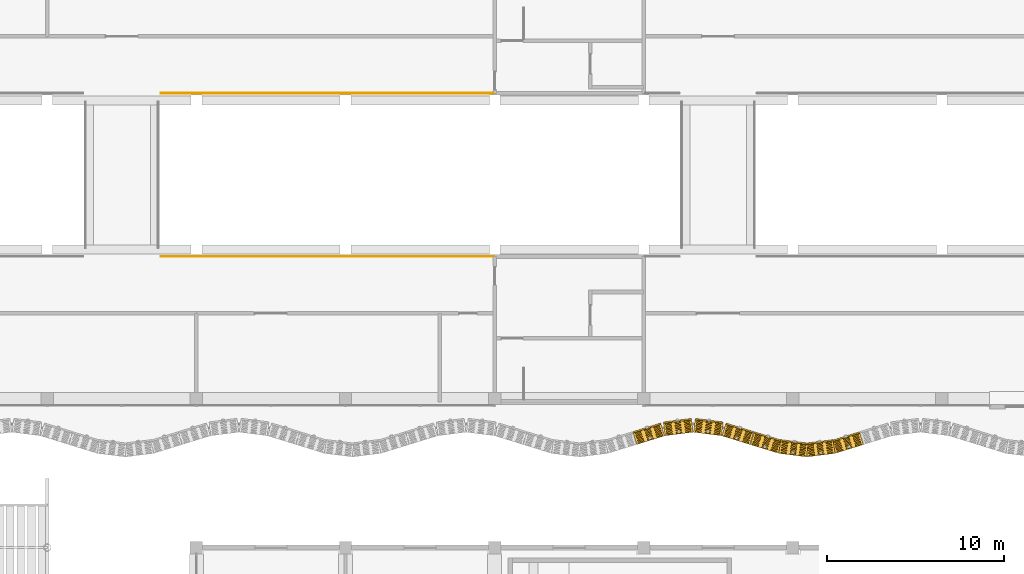
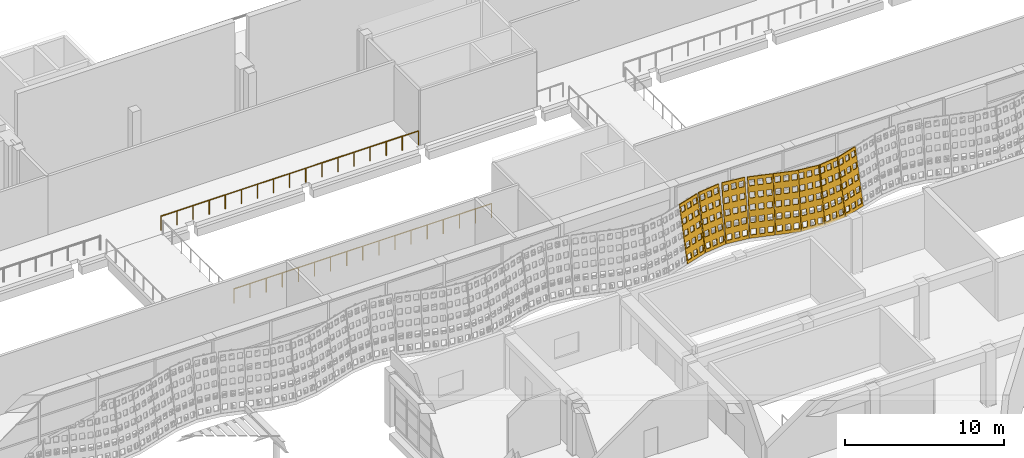
# One storey, part 147 of 162: 8 coverings, 2 railings.
"""IFC4 building model written with IfcOpenShell, lengths in metres."""

from ifc_helpers import new_model, si_unit, direction, frame, origin, origin_2d, place, context, subcontext, project, spatial, polyline, circle, outline, extrude, material, layer, layer_set, type_object, element, save


model = new_model("IFC4")

# Units and contexts
model_context = context("Model", 3, precision=1e-05, world=origin(), true_north=direction((0.0, 1.0)))
body_context = subcontext(model_context, "Body", "Model", "MODEL_VIEW")
ifc_project = project(units=[si_unit("LENGTHUNIT", "METRE"), si_unit("AREAUNIT", "SQUARE_METRE"), si_unit("VOLUMEUNIT", "CUBIC_METRE"), si_unit("PLANEANGLEUNIT", "RADIAN"), si_unit("MASSUNIT", "GRAM", prefix="KILO")], contexts=[model_context])

# Site, building, storey
site_placement = place(None, origin())
site = spatial("IfcSite", under=ifc_project, at=site_placement, CompositionType="ELEMENT")
building_placement = place(site_placement, origin())
building = spatial("IfcBuilding", under=site, at=building_placement, Name="Rain Tree Exposition and Congress Centre", CompositionType="ELEMENT")
storey_placement = place(building_placement, frame((0.0, 0.0, 6.0)))
storey = spatial("IfcBuildingStorey", under=building, at=storey_placement, Name="L01", CompositionType="ELEMENT", Elevation=6.0)

# Railings
ifc_material_1 = material(Name="Aluminium and glass balustrade", Category="aluminium")
railing_type = type_object("IfcRailingType", Name="Concourse guard 1100", PredefinedType="GUARDRAIL", material=ifc_material_1)
railing_1_placement = place(storey_placement, frame((149.199951171875, 83.60009765625, 0.0)))
element("IfcRailing", 1, at=railing_1_placement, inside=storey, type_object=railing_type, Name="Concourse promenade guard 9", PredefinedType="GUARDRAIL", context=body_context, shape_type="SweptSolid", body=[
    extrude(circle(Radius=0.02392578125, at=origin_2d()), frame((0.0, 0.0, 1.076171875), z_axis=(1.0, 0.0, 0.0), x_axis=(0.0, 1.0, 0.0)), (0.0, 0.0, 1.0), 18.699951171875),
    extrude(circle(Radius=0.02099609375, at=origin_2d()), origin(), (0.0, 0.0, 1.0), 1.052001953125),
    extrude(circle(Radius=0.02099609375, at=origin_2d()), frame((1.168701171875, 0.0, 0.0)), (0.0, 0.0, 1.0), 1.052001953125),
    extrude(circle(Radius=0.02099609375, at=origin_2d()), frame((2.33740234375, 0.0, 0.0)), (0.0, 0.0, 1.0), 1.052001953125),
    extrude(circle(Radius=0.02099609375, at=origin_2d()), frame((3.50634765625, 0.0, 0.0)), (0.0, 0.0, 1.0), 1.052001953125),
    extrude(circle(Radius=0.02099609375, at=origin_2d()), frame((4.675048828125, 0.0, 0.0)), (0.0, 0.0, 1.0), 1.052001953125),
    extrude(circle(Radius=0.02099609375, at=origin_2d()), frame((5.84375, 0.0, 0.0)), (0.0, 0.0, 1.0), 1.052001953125),
    extrude(circle(Radius=0.02099609375, at=origin_2d()), frame((7.012451171875, 0.0, 0.0)), (0.0, 0.0, 1.0), 1.052001953125),
    extrude(circle(Radius=0.02099609375, at=origin_2d()), frame((8.18115234375, 0.0, 0.0)), (0.0, 0.0, 1.0), 1.052001953125),
    extrude(circle(Radius=0.02099609375, at=origin_2d()), frame((9.35009765625, 0.0, 0.0)), (0.0, 0.0, 1.0), 1.052001953125),
    extrude(circle(Radius=0.02099609375, at=origin_2d()), frame((10.518798828125, 0.0, 0.0)), (0.0, 0.0, 1.0), 1.052001953125),
    extrude(circle(Radius=0.02099609375, at=origin_2d()), frame((11.6875, 0.0, 0.0)), (0.0, 0.0, 1.0), 1.052001953125),
    extrude(circle(Radius=0.02099609375, at=origin_2d()), frame((12.856201171875, 0.0, 0.0)), (0.0, 0.0, 1.0), 1.052001953125),
    extrude(circle(Radius=0.02099609375, at=origin_2d()), frame((14.02490234375, 0.0, 0.0)), (0.0, 0.0, 1.0), 1.052001953125),
    extrude(circle(Radius=0.02099609375, at=origin_2d()), frame((15.193603515625, 0.0, 0.0)), (0.0, 0.0, 1.0), 1.052001953125),
    extrude(circle(Radius=0.02099609375, at=origin_2d()), frame((16.362548828125, 0.0, 0.0)), (0.0, 0.0, 1.0), 1.052001953125),
    extrude(circle(Radius=0.02099609375, at=origin_2d()), frame((17.53125, 0.0, 0.0)), (0.0, 0.0, 1.0), 1.052001953125),
    extrude(circle(Radius=0.02099609375, at=origin_2d()), frame((18.699951171875, 0.0, 0.0)), (0.0, 0.0, 1.0), 1.052001953125),
])
railing_2_placement = place(storey_placement, frame((149.199951171875, 92.800048828125, 0.0)))
element("IfcRailing", 2, at=railing_2_placement, inside=storey, type_object=railing_type, Name="Concourse promenade guard 23", PredefinedType="GUARDRAIL", context=body_context, shape_type="SweptSolid", body=[
    extrude(circle(Radius=0.02392578125, at=origin_2d()), frame((0.0, 0.0, 1.076171875), z_axis=(1.0, 0.0, 0.0), x_axis=(0.0, 1.0, 0.0)), (0.0, 0.0, 1.0), 18.699951171875),
    extrude(circle(Radius=0.02099609375, at=origin_2d()), origin(), (0.0, 0.0, 1.0), 1.052001953125),
    extrude(circle(Radius=0.02099609375, at=origin_2d()), frame((1.168701171875, 0.0, 0.0)), (0.0, 0.0, 1.0), 1.052001953125),
    extrude(circle(Radius=0.02099609375, at=origin_2d()), frame((2.33740234375, 0.0, 0.0)), (0.0, 0.0, 1.0), 1.052001953125),
    extrude(circle(Radius=0.02099609375, at=origin_2d()), frame((3.50634765625, 0.0, 0.0)), (0.0, 0.0, 1.0), 1.052001953125),
    extrude(circle(Radius=0.02099609375, at=origin_2d()), frame((4.675048828125, 0.0, 0.0)), (0.0, 0.0, 1.0), 1.052001953125),
    extrude(circle(Radius=0.02099609375, at=origin_2d()), frame((5.84375, 0.0, 0.0)), (0.0, 0.0, 1.0), 1.052001953125),
    extrude(circle(Radius=0.02099609375, at=origin_2d()), frame((7.012451171875, 0.0, 0.0)), (0.0, 0.0, 1.0), 1.052001953125),
    extrude(circle(Radius=0.02099609375, at=origin_2d()), frame((8.18115234375, 0.0, 0.0)), (0.0, 0.0, 1.0), 1.052001953125),
    extrude(circle(Radius=0.02099609375, at=origin_2d()), frame((9.35009765625, 0.0, 0.0)), (0.0, 0.0, 1.0), 1.052001953125),
    extrude(circle(Radius=0.02099609375, at=origin_2d()), frame((10.518798828125, 0.0, 0.0)), (0.0, 0.0, 1.0), 1.052001953125),
    extrude(circle(Radius=0.02099609375, at=origin_2d()), frame((11.6875, 0.0, 0.0)), (0.0, 0.0, 1.0), 1.052001953125),
    extrude(circle(Radius=0.02099609375, at=origin_2d()), frame((12.856201171875, 0.0, 0.0)), (0.0, 0.0, 1.0), 1.052001953125),
    extrude(circle(Radius=0.02099609375, at=origin_2d()), frame((14.02490234375, 0.0, 0.0)), (0.0, 0.0, 1.0), 1.052001953125),
    extrude(circle(Radius=0.02099609375, at=origin_2d()), frame((15.193603515625, 0.0, 0.0)), (0.0, 0.0, 1.0), 1.052001953125),
    extrude(circle(Radius=0.02099609375, at=origin_2d()), frame((16.362548828125, 0.0, 0.0)), (0.0, 0.0, 1.0), 1.052001953125),
    extrude(circle(Radius=0.02099609375, at=origin_2d()), frame((17.53125, 0.0, 0.0)), (0.0, 0.0, 1.0), 1.052001953125),
    extrude(circle(Radius=0.02099609375, at=origin_2d()), frame((18.699951171875, 0.0, 0.0)), (0.0, 0.0, 1.0), 1.052001953125),
])

# Coverings
ifc_material_2 = material(Name="Perforated terracotta", Category="masonry")
ifc_layer = layer(ifc_material_2, 0.080078125)
ifc_layer_set = layer_set([ifc_layer], Name="Perforated terracotta")
covering_type = type_object("IfcCoveringType", Name="Terracotta screen 80", PredefinedType="CLADDING", material=ifc_layer_set)
covering_1_placement = place(storey_placement, frame((175.99951171875, 73.001708984375, 0.0126953125), z_axis=(-0.292932171154, 0.942875425902, -0.158671592708), x_axis=(-0.954973588716, -0.296690823679, 0.0)))
element("IfcCovering", 3, at=covering_1_placement, inside=storey, type_object=covering_type, Name="concourse/screen/L01/111", PredefinedType="CLADDING", context=body_context, shape_type="SweptSolid", body=[
    extrude(outline(polyline([(-1.659912109375, 0.0), (-1.659912109375, 4.29150390625), (-0.014892578125, 4.29150390625), (-0.014892578125, 0.0), (-1.659912109375, 0.0)]), holes=[polyline([(-0.119140625, 0.221435546875), (-0.119140625, 0.63671875), (-0.458984375, 0.63671875), (-0.458984375, 0.221435546875), (-0.119140625, 0.221435546875)]), polyline([(-0.119140625, 1.079833984375), (-0.119140625, 1.4951171875), (-0.458984375, 1.4951171875), (-0.458984375, 1.079833984375), (-0.119140625, 1.079833984375)]), polyline([(-0.119140625, 1.93798828125), (-0.119140625, 2.353271484375), (-0.458984375, 2.353271484375), (-0.458984375, 1.93798828125), (-0.119140625, 1.93798828125)]), polyline([(-0.119140625, 2.79638671875), (-0.119140625, 3.211669921875), (-0.458984375, 3.211669921875), (-0.458984375, 2.79638671875), (-0.119140625, 2.79638671875)]), polyline([(-0.119140625, 3.654541015625), (-0.119140625, 4.06982421875), (-0.458984375, 4.06982421875), (-0.458984375, 3.654541015625), (-0.119140625, 3.654541015625)]), polyline([(-0.66748046875, 0.221435546875), (-0.66748046875, 0.63671875), (-1.00732421875, 0.63671875), (-1.00732421875, 0.221435546875), (-0.66748046875, 0.221435546875)]), polyline([(-0.66748046875, 1.079833984375), (-0.66748046875, 1.4951171875), (-1.00732421875, 1.4951171875), (-1.00732421875, 1.079833984375), (-0.66748046875, 1.079833984375)]), polyline([(-0.66748046875, 1.93798828125), (-0.66748046875, 2.353271484375), (-1.00732421875, 2.353271484375), (-1.00732421875, 1.93798828125), (-0.66748046875, 1.93798828125)]), polyline([(-0.66748046875, 2.79638671875), (-0.66748046875, 3.211669921875), (-1.00732421875, 3.211669921875), (-1.00732421875, 2.79638671875), (-0.66748046875, 2.79638671875)]), polyline([(-0.66748046875, 3.654541015625), (-0.66748046875, 4.06982421875), (-1.00732421875, 4.06982421875), (-1.00732421875, 3.654541015625), (-0.66748046875, 3.654541015625)]), polyline([(-1.2158203125, 0.221435546875), (-1.2158203125, 0.63671875), (-1.5556640625, 0.63671875), (-1.5556640625, 0.221435546875), (-1.2158203125, 0.221435546875)]), polyline([(-1.2158203125, 1.079833984375), (-1.2158203125, 1.4951171875), (-1.5556640625, 1.4951171875), (-1.5556640625, 1.079833984375), (-1.2158203125, 1.079833984375)]), polyline([(-1.2158203125, 1.93798828125), (-1.2158203125, 2.353271484375), (-1.5556640625, 2.353271484375), (-1.5556640625, 1.93798828125), (-1.2158203125, 1.93798828125)]), polyline([(-1.2158203125, 2.79638671875), (-1.2158203125, 3.211669921875), (-1.5556640625, 3.211669921875), (-1.5556640625, 2.79638671875), (-1.2158203125, 2.79638671875)]), polyline([(-1.2158203125, 3.654541015625), (-1.2158203125, 4.06982421875), (-1.5556640625, 4.06982421875), (-1.5556640625, 3.654541015625), (-1.2158203125, 3.654541015625)])]), origin(), (0.0, 0.0, 1.0), 0.080078125),
])
covering_2_placement = place(storey_placement, frame((177.599609375, 73.496826171875, 0.01318359375), z_axis=(-0.124968640969, 0.978413018317, -0.164592844203), x_axis=(-0.991941518713, -0.126696580272, 0.0)))
element("IfcCovering", 4, at=covering_2_placement, inside=storey, type_object=covering_type, Name="concourse/screen/L01/112", PredefinedType="CLADDING", context=body_context, shape_type="SweptSolid", body=[
    extrude(outline(polyline([(-1.59814453125, 0.0), (-1.59814453125, 4.295166015625), (-0.014892578125, 4.295166015625), (-0.014892578125, 0.0), (-1.59814453125, 0.0)]), holes=[polyline([(-0.115234375, 0.2216796875), (-0.115234375, 0.63720703125), (-0.4423828125, 0.63720703125), (-0.4423828125, 0.2216796875), (-0.115234375, 0.2216796875)]), polyline([(-0.115234375, 1.080810546875), (-0.115234375, 1.496337890625), (-0.4423828125, 1.496337890625), (-0.4423828125, 1.080810546875), (-0.115234375, 1.080810546875)]), polyline([(-0.115234375, 1.939697265625), (-0.115234375, 2.35546875), (-0.4423828125, 2.35546875), (-0.4423828125, 1.939697265625), (-0.115234375, 1.939697265625)]), polyline([(-0.115234375, 2.798583984375), (-0.115234375, 3.21435546875), (-0.4423828125, 3.21435546875), (-0.4423828125, 2.798583984375), (-0.115234375, 2.798583984375)]), polyline([(-0.115234375, 3.65771484375), (-0.115234375, 4.073486328125), (-0.4423828125, 4.073486328125), (-0.4423828125, 3.65771484375), (-0.115234375, 3.65771484375)]), polyline([(-0.64306640625, 0.2216796875), (-0.64306640625, 0.63720703125), (-0.97021484375, 0.63720703125), (-0.97021484375, 0.2216796875), (-0.64306640625, 0.2216796875)]), polyline([(-0.64306640625, 1.080810546875), (-0.64306640625, 1.496337890625), (-0.97021484375, 1.496337890625), (-0.97021484375, 1.080810546875), (-0.64306640625, 1.080810546875)]), polyline([(-0.64306640625, 1.939697265625), (-0.64306640625, 2.35546875), (-0.97021484375, 2.35546875), (-0.97021484375, 1.939697265625), (-0.64306640625, 1.939697265625)]), polyline([(-0.64306640625, 2.798583984375), (-0.64306640625, 3.21435546875), (-0.97021484375, 3.21435546875), (-0.97021484375, 2.798583984375), (-0.64306640625, 2.798583984375)]), polyline([(-0.64306640625, 3.65771484375), (-0.64306640625, 4.073486328125), (-0.97021484375, 4.073486328125), (-0.97021484375, 3.65771484375), (-0.64306640625, 3.65771484375)]), polyline([(-1.170654296875, 0.2216796875), (-1.170654296875, 0.63720703125), (-1.497802734375, 0.63720703125), (-1.497802734375, 0.2216796875), (-1.170654296875, 0.2216796875)]), polyline([(-1.170654296875, 1.080810546875), (-1.170654296875, 1.496337890625), (-1.497802734375, 1.496337890625), (-1.497802734375, 1.080810546875), (-1.170654296875, 1.080810546875)]), polyline([(-1.170654296875, 1.939697265625), (-1.170654296875, 2.35546875), (-1.497802734375, 2.35546875), (-1.497802734375, 1.939697265625), (-1.170654296875, 1.939697265625)]), polyline([(-1.170654296875, 2.798583984375), (-1.170654296875, 3.21435546875), (-1.497802734375, 3.21435546875), (-1.497802734375, 2.798583984375), (-1.170654296875, 2.798583984375)]), polyline([(-1.170654296875, 3.65771484375), (-1.170654296875, 4.073486328125), (-1.497802734375, 4.073486328125), (-1.497802734375, 3.65771484375), (-1.170654296875, 3.65771484375)])]), origin(), (0.0, 0.0, 1.0), 0.080078125),
])
covering_3_placement = place(storey_placement, frame((179.2001953125, 73.701904296875, 0.01318359375), z_axis=(0.125342414455, 0.978282259159, -0.165085131233), x_axis=(-0.991891686382, 0.127086122318, 0.0)))
element("IfcCovering", 5, at=covering_3_placement, inside=storey, type_object=covering_type, Name="concourse/screen/L01/113", PredefinedType="CLADDING", context=body_context, shape_type="SweptSolid", body=[
    extrude(outline(polyline([(-1.59814453125, 0.0), (-1.59814453125, 4.295166015625), (-0.014892578125, 4.295166015625), (-0.014892578125, 0.0), (-1.59814453125, 0.0)]), holes=[polyline([(-0.115234375, 0.2216796875), (-0.115234375, 0.63720703125), (-0.4423828125, 0.63720703125), (-0.4423828125, 0.2216796875), (-0.115234375, 0.2216796875)]), polyline([(-0.115234375, 1.080810546875), (-0.115234375, 1.496337890625), (-0.4423828125, 1.496337890625), (-0.4423828125, 1.080810546875), (-0.115234375, 1.080810546875)]), polyline([(-0.115234375, 1.939697265625), (-0.115234375, 2.35546875), (-0.4423828125, 2.35546875), (-0.4423828125, 1.939697265625), (-0.115234375, 1.939697265625)]), polyline([(-0.115234375, 2.798583984375), (-0.115234375, 3.21435546875), (-0.4423828125, 3.21435546875), (-0.4423828125, 2.798583984375), (-0.115234375, 2.798583984375)]), polyline([(-0.115234375, 3.65771484375), (-0.115234375, 4.073486328125), (-0.4423828125, 4.073486328125), (-0.4423828125, 3.65771484375), (-0.115234375, 3.65771484375)]), polyline([(-0.64306640625, 0.2216796875), (-0.64306640625, 0.63720703125), (-0.97021484375, 0.63720703125), (-0.97021484375, 0.2216796875), (-0.64306640625, 0.2216796875)]), polyline([(-0.64306640625, 1.080810546875), (-0.64306640625, 1.496337890625), (-0.97021484375, 1.496337890625), (-0.97021484375, 1.080810546875), (-0.64306640625, 1.080810546875)]), polyline([(-0.64306640625, 1.939697265625), (-0.64306640625, 2.35546875), (-0.97021484375, 2.35546875), (-0.97021484375, 1.939697265625), (-0.64306640625, 1.939697265625)]), polyline([(-0.64306640625, 2.798583984375), (-0.64306640625, 3.21435546875), (-0.97021484375, 3.21435546875), (-0.97021484375, 2.798583984375), (-0.64306640625, 2.798583984375)]), polyline([(-0.64306640625, 3.65771484375), (-0.64306640625, 4.073486328125), (-0.97021484375, 4.073486328125), (-0.97021484375, 3.65771484375), (-0.64306640625, 3.65771484375)]), polyline([(-1.170654296875, 0.2216796875), (-1.170654296875, 0.63720703125), (-1.497802734375, 0.63720703125), (-1.497802734375, 0.2216796875), (-1.170654296875, 0.2216796875)]), polyline([(-1.170654296875, 1.080810546875), (-1.170654296875, 1.496337890625), (-1.497802734375, 1.496337890625), (-1.497802734375, 1.080810546875), (-1.170654296875, 1.080810546875)]), polyline([(-1.170654296875, 1.939697265625), (-1.170654296875, 2.35546875), (-1.497802734375, 2.35546875), (-1.497802734375, 1.939697265625), (-1.170654296875, 1.939697265625)]), polyline([(-1.170654296875, 2.798583984375), (-1.170654296875, 3.21435546875), (-1.497802734375, 3.21435546875), (-1.497802734375, 2.798583984375), (-1.170654296875, 2.798583984375)]), polyline([(-1.170654296875, 3.65771484375), (-1.170654296875, 4.073486328125), (-1.497802734375, 4.073486328125), (-1.497802734375, 3.65771484375), (-1.170654296875, 3.65771484375)])]), origin(), (0.0, 0.0, 1.0), 0.079833984375),
])
covering_4_placement = place(storey_placement, frame((180.800537109375, 73.49658203125, 0.0126953125), z_axis=(0.292932171154, 0.942875425902, -0.158671592708), x_axis=(-0.954973588716, 0.296690823679, 0.0)))
element("IfcCovering", 6, at=covering_4_placement, inside=storey, type_object=covering_type, Name="concourse/screen/L01/114", PredefinedType="CLADDING", context=body_context, shape_type="SweptSolid", body=[
    extrude(outline(polyline([(-1.659912109375, 0.0), (-1.659912109375, 4.29150390625), (-0.014892578125, 4.29150390625), (-0.014892578125, 0.0), (-1.659912109375, 0.0)]), holes=[polyline([(-0.119140625, 0.221435546875), (-0.119140625, 0.63671875), (-0.458984375, 0.63671875), (-0.458984375, 0.221435546875), (-0.119140625, 0.221435546875)]), polyline([(-0.119140625, 1.079833984375), (-0.119140625, 1.4951171875), (-0.458984375, 1.4951171875), (-0.458984375, 1.079833984375), (-0.119140625, 1.079833984375)]), polyline([(-0.119140625, 1.93798828125), (-0.119140625, 2.353271484375), (-0.458984375, 2.353271484375), (-0.458984375, 1.93798828125), (-0.119140625, 1.93798828125)]), polyline([(-0.119140625, 2.79638671875), (-0.119140625, 3.211669921875), (-0.458984375, 3.211669921875), (-0.458984375, 2.79638671875), (-0.119140625, 2.79638671875)]), polyline([(-0.119140625, 3.654541015625), (-0.119140625, 4.06982421875), (-0.458984375, 4.06982421875), (-0.458984375, 3.654541015625), (-0.119140625, 3.654541015625)]), polyline([(-0.66748046875, 0.221435546875), (-0.66748046875, 0.63671875), (-1.00732421875, 0.63671875), (-1.00732421875, 0.221435546875), (-0.66748046875, 0.221435546875)]), polyline([(-0.66748046875, 1.079833984375), (-0.66748046875, 1.4951171875), (-1.00732421875, 1.4951171875), (-1.00732421875, 1.079833984375), (-0.66748046875, 1.079833984375)]), polyline([(-0.66748046875, 1.93798828125), (-0.66748046875, 2.353271484375), (-1.00732421875, 2.353271484375), (-1.00732421875, 1.93798828125), (-0.66748046875, 1.93798828125)]), polyline([(-0.66748046875, 2.79638671875), (-0.66748046875, 3.211669921875), (-1.00732421875, 3.211669921875), (-1.00732421875, 2.79638671875), (-0.66748046875, 2.79638671875)]), polyline([(-0.66748046875, 3.654541015625), (-0.66748046875, 4.06982421875), (-1.00732421875, 4.06982421875), (-1.00732421875, 3.654541015625), (-0.66748046875, 3.654541015625)]), polyline([(-1.2158203125, 0.221435546875), (-1.2158203125, 0.63671875), (-1.5556640625, 0.63671875), (-1.5556640625, 0.221435546875), (-1.2158203125, 0.221435546875)]), polyline([(-1.2158203125, 1.079833984375), (-1.2158203125, 1.4951171875), (-1.5556640625, 1.4951171875), (-1.5556640625, 1.079833984375), (-1.2158203125, 1.079833984375)]), polyline([(-1.2158203125, 1.93798828125), (-1.2158203125, 2.353271484375), (-1.5556640625, 2.353271484375), (-1.5556640625, 1.93798828125), (-1.2158203125, 1.93798828125)]), polyline([(-1.2158203125, 2.79638671875), (-1.2158203125, 3.211669921875), (-1.5556640625, 3.211669921875), (-1.5556640625, 2.79638671875), (-1.2158203125, 2.79638671875)]), polyline([(-1.2158203125, 3.654541015625), (-1.2158203125, 4.06982421875), (-1.5556640625, 4.06982421875), (-1.5556640625, 3.654541015625), (-1.2158203125, 3.654541015625)])]), origin(), (0.0, 0.0, 1.0), 0.080078125),
])
covering_5_placement = place(storey_placement, frame((182.400634765625, 73.001708984375, 0.0126953125), z_axis=(0.290138898064, 0.943714942124, -0.158812870519), x_axis=(-0.955845867297, 0.293868470528, 0.0)))
element("IfcCovering", 7, at=covering_5_placement, inside=storey, type_object=covering_type, Name="concourse/screen/L01/115", PredefinedType="CLADDING", context=body_context, shape_type="SweptSolid", body=[
    extrude(outline(polyline([(-1.65283203125, 0.0), (-1.65283203125, 4.29150390625), (-0.014892578125, 4.29150390625), (-0.014892578125, 0.0), (-1.65283203125, 0.0)]), holes=[polyline([(-0.11865234375, 0.221435546875), (-0.11865234375, 0.63671875), (-0.457275390625, 0.63671875), (-0.457275390625, 0.221435546875), (-0.11865234375, 0.221435546875)]), polyline([(-0.11865234375, 1.079833984375), (-0.11865234375, 1.4951171875), (-0.457275390625, 1.4951171875), (-0.457275390625, 1.079833984375), (-0.11865234375, 1.079833984375)]), polyline([(-0.11865234375, 1.93798828125), (-0.11865234375, 2.353271484375), (-0.457275390625, 2.353271484375), (-0.457275390625, 1.93798828125), (-0.11865234375, 1.93798828125)]), polyline([(-0.11865234375, 2.79638671875), (-0.11865234375, 3.211669921875), (-0.457275390625, 3.211669921875), (-0.457275390625, 2.79638671875), (-0.11865234375, 2.79638671875)]), polyline([(-0.11865234375, 3.654541015625), (-0.11865234375, 4.06982421875), (-0.457275390625, 4.06982421875), (-0.457275390625, 3.654541015625), (-0.11865234375, 3.654541015625)]), polyline([(-0.664794921875, 0.221435546875), (-0.664794921875, 0.63671875), (-1.003173828125, 0.63671875), (-1.003173828125, 0.221435546875), (-0.664794921875, 0.221435546875)]), polyline([(-0.664794921875, 1.079833984375), (-0.664794921875, 1.4951171875), (-1.003173828125, 1.4951171875), (-1.003173828125, 1.079833984375), (-0.664794921875, 1.079833984375)]), polyline([(-0.664794921875, 1.93798828125), (-0.664794921875, 2.353271484375), (-1.003173828125, 2.353271484375), (-1.003173828125, 1.93798828125), (-0.664794921875, 1.93798828125)]), polyline([(-0.664794921875, 2.79638671875), (-0.664794921875, 3.211669921875), (-1.003173828125, 3.211669921875), (-1.003173828125, 2.79638671875), (-0.664794921875, 2.79638671875)]), polyline([(-0.664794921875, 3.654541015625), (-0.664794921875, 4.06982421875), (-1.003173828125, 4.06982421875), (-1.003173828125, 3.654541015625), (-0.664794921875, 3.654541015625)]), polyline([(-1.210693359375, 0.221435546875), (-1.210693359375, 0.63671875), (-1.54931640625, 0.63671875), (-1.54931640625, 0.221435546875), (-1.210693359375, 0.221435546875)]), polyline([(-1.210693359375, 1.079833984375), (-1.210693359375, 1.4951171875), (-1.54931640625, 1.4951171875), (-1.54931640625, 1.079833984375), (-1.210693359375, 1.079833984375)]), polyline([(-1.210693359375, 1.93798828125), (-1.210693359375, 2.353271484375), (-1.54931640625, 2.353271484375), (-1.54931640625, 1.93798828125), (-1.210693359375, 1.93798828125)]), polyline([(-1.210693359375, 2.79638671875), (-1.210693359375, 3.211669921875), (-1.54931640625, 3.211669921875), (-1.54931640625, 2.79638671875), (-1.210693359375, 2.79638671875)]), polyline([(-1.210693359375, 3.654541015625), (-1.210693359375, 4.06982421875), (-1.54931640625, 4.06982421875), (-1.54931640625, 3.654541015625), (-1.210693359375, 3.654541015625)])]), origin(), (0.0, 0.0, 1.0), 0.079833984375),
])
covering_6_placement = place(storey_placement, frame((184.000244140625, 72.5068359375, 0.01318359375), z_axis=(0.124968640969, 0.978413018317, -0.164592844203), x_axis=(-0.991941518713, 0.126696580272, 0.0)))
element("IfcCovering", 8, at=covering_6_placement, inside=storey, type_object=covering_type, Name="concourse/screen/L01/116", PredefinedType="CLADDING", context=body_context, shape_type="SweptSolid", body=[
    extrude(outline(polyline([(-1.587890625, 0.0), (-1.587890625, 4.295166015625), (-0.02197265625, 4.295166015625), (-0.02197265625, 0.0), (-1.587890625, 0.0)]), holes=[polyline([(-0.12109375, 0.2216796875), (-0.12109375, 0.63720703125), (-0.444580078125, 0.63720703125), (-0.444580078125, 0.2216796875), (-0.12109375, 0.2216796875)]), polyline([(-0.12109375, 1.080810546875), (-0.12109375, 1.496337890625), (-0.444580078125, 1.496337890625), (-0.444580078125, 1.080810546875), (-0.12109375, 1.080810546875)]), polyline([(-0.12109375, 1.939697265625), (-0.12109375, 2.35546875), (-0.444580078125, 2.35546875), (-0.444580078125, 1.939697265625), (-0.12109375, 1.939697265625)]), polyline([(-0.12109375, 2.798583984375), (-0.12109375, 3.21435546875), (-0.444580078125, 3.21435546875), (-0.444580078125, 2.798583984375), (-0.12109375, 2.798583984375)]), polyline([(-0.12109375, 3.65771484375), (-0.12109375, 4.073486328125), (-0.444580078125, 4.073486328125), (-0.444580078125, 3.65771484375), (-0.12109375, 3.65771484375)]), polyline([(-0.64306640625, 0.2216796875), (-0.64306640625, 0.63720703125), (-0.966796875, 0.63720703125), (-0.966796875, 0.2216796875), (-0.64306640625, 0.2216796875)]), polyline([(-0.64306640625, 1.080810546875), (-0.64306640625, 1.496337890625), (-0.966796875, 1.496337890625), (-0.966796875, 1.080810546875), (-0.64306640625, 1.080810546875)]), polyline([(-0.64306640625, 1.939697265625), (-0.64306640625, 2.35546875), (-0.966796875, 2.35546875), (-0.966796875, 1.939697265625), (-0.64306640625, 1.939697265625)]), polyline([(-0.64306640625, 2.798583984375), (-0.64306640625, 3.21435546875), (-0.966796875, 3.21435546875), (-0.966796875, 2.798583984375), (-0.64306640625, 2.798583984375)]), polyline([(-0.64306640625, 3.65771484375), (-0.64306640625, 4.073486328125), (-0.966796875, 4.073486328125), (-0.966796875, 3.65771484375), (-0.64306640625, 3.65771484375)]), polyline([(-1.1650390625, 0.2216796875), (-1.1650390625, 0.63720703125), (-1.48876953125, 0.63720703125), (-1.48876953125, 0.2216796875), (-1.1650390625, 0.2216796875)]), polyline([(-1.1650390625, 1.080810546875), (-1.1650390625, 1.496337890625), (-1.48876953125, 1.496337890625), (-1.48876953125, 1.080810546875), (-1.1650390625, 1.080810546875)]), polyline([(-1.1650390625, 1.939697265625), (-1.1650390625, 2.35546875), (-1.48876953125, 2.35546875), (-1.48876953125, 1.939697265625), (-1.1650390625, 1.939697265625)]), polyline([(-1.1650390625, 2.798583984375), (-1.1650390625, 3.21435546875), (-1.48876953125, 3.21435546875), (-1.48876953125, 2.798583984375), (-1.1650390625, 2.798583984375)]), polyline([(-1.1650390625, 3.65771484375), (-1.1650390625, 4.073486328125), (-1.48876953125, 4.073486328125), (-1.48876953125, 3.65771484375), (-1.1650390625, 3.65771484375)])]), origin(), (0.0, 0.0, 1.0), 0.080078125),
])
covering_7_placement = place(storey_placement, frame((185.599609375, 72.302001953125, 0.01318359375), z_axis=(-0.125342414455, 0.978282259159, -0.165085131233), x_axis=(-0.991891686382, -0.127086122318, 0.0)))
element("IfcCovering", 9, at=covering_7_placement, inside=storey, type_object=covering_type, Name="concourse/screen/L01/117", PredefinedType="CLADDING", context=body_context, shape_type="SweptSolid", body=[
    extrude(outline(polyline([(-1.59130859375, 0.0), (-1.59130859375, 4.295166015625), (-0.025146484375, 4.295166015625), (-0.025146484375, 0.0), (-1.59130859375, 0.0)]), holes=[polyline([(-0.12451171875, 0.2216796875), (-0.12451171875, 0.63720703125), (-0.447998046875, 0.63720703125), (-0.447998046875, 0.2216796875), (-0.12451171875, 0.2216796875)]), polyline([(-0.12451171875, 1.080810546875), (-0.12451171875, 1.496337890625), (-0.447998046875, 1.496337890625), (-0.447998046875, 1.080810546875), (-0.12451171875, 1.080810546875)]), polyline([(-0.12451171875, 1.939697265625), (-0.12451171875, 2.35546875), (-0.447998046875, 2.35546875), (-0.447998046875, 1.939697265625), (-0.12451171875, 1.939697265625)]), polyline([(-0.12451171875, 2.798583984375), (-0.12451171875, 3.21435546875), (-0.447998046875, 3.21435546875), (-0.447998046875, 2.798583984375), (-0.12451171875, 2.798583984375)]), polyline([(-0.12451171875, 3.65771484375), (-0.12451171875, 4.073486328125), (-0.447998046875, 4.073486328125), (-0.447998046875, 3.65771484375), (-0.12451171875, 3.65771484375)]), polyline([(-0.646484375, 0.2216796875), (-0.646484375, 0.63720703125), (-0.969970703125, 0.63720703125), (-0.969970703125, 0.2216796875), (-0.646484375, 0.2216796875)]), polyline([(-0.646484375, 1.080810546875), (-0.646484375, 1.496337890625), (-0.969970703125, 1.496337890625), (-0.969970703125, 1.080810546875), (-0.646484375, 1.080810546875)]), polyline([(-0.646484375, 1.939697265625), (-0.646484375, 2.35546875), (-0.969970703125, 2.35546875), (-0.969970703125, 1.939697265625), (-0.646484375, 1.939697265625)]), polyline([(-0.646484375, 2.798583984375), (-0.646484375, 3.21435546875), (-0.969970703125, 3.21435546875), (-0.969970703125, 2.798583984375), (-0.646484375, 2.798583984375)]), polyline([(-0.646484375, 3.65771484375), (-0.646484375, 4.073486328125), (-0.969970703125, 4.073486328125), (-0.969970703125, 3.65771484375), (-0.646484375, 3.65771484375)]), polyline([(-1.16845703125, 0.2216796875), (-1.16845703125, 0.63720703125), (-1.491943359375, 0.63720703125), (-1.491943359375, 0.2216796875), (-1.16845703125, 0.2216796875)]), polyline([(-1.16845703125, 1.080810546875), (-1.16845703125, 1.496337890625), (-1.491943359375, 1.496337890625), (-1.491943359375, 1.080810546875), (-1.16845703125, 1.080810546875)]), polyline([(-1.16845703125, 1.939697265625), (-1.16845703125, 2.35546875), (-1.491943359375, 2.35546875), (-1.491943359375, 1.939697265625), (-1.16845703125, 1.939697265625)]), polyline([(-1.16845703125, 2.798583984375), (-1.16845703125, 3.21435546875), (-1.491943359375, 3.21435546875), (-1.491943359375, 2.798583984375), (-1.16845703125, 2.798583984375)]), polyline([(-1.16845703125, 3.65771484375), (-1.16845703125, 4.073486328125), (-1.491943359375, 4.073486328125), (-1.491943359375, 3.65771484375), (-1.16845703125, 3.65771484375)])]), origin(), (0.0, 0.0, 1.0), 0.079833984375),
])
covering_8_placement = place(storey_placement, frame((187.199462890625, 72.506591796875, 0.0126953125), z_axis=(-0.292932171154, 0.942875425902, -0.158671592708), x_axis=(-0.954973588716, -0.296690823679, 0.0)))
element("IfcCovering", 10, at=covering_8_placement, inside=storey, type_object=covering_type, Name="concourse/screen/L01/118", PredefinedType="CLADDING", context=body_context, shape_type="SweptSolid", body=[
    extrude(outline(polyline([(-1.659912109375, 0.0), (-1.659912109375, 4.29150390625), (-0.02197265625, 4.29150390625), (-0.02197265625, 0.0), (-1.659912109375, 0.0)]), holes=[polyline([(-0.125732421875, 0.221435546875), (-0.125732421875, 0.63671875), (-0.464111328125, 0.63671875), (-0.464111328125, 0.221435546875), (-0.125732421875, 0.221435546875)]), polyline([(-0.125732421875, 1.079833984375), (-0.125732421875, 1.4951171875), (-0.464111328125, 1.4951171875), (-0.464111328125, 1.079833984375), (-0.125732421875, 1.079833984375)]), polyline([(-0.125732421875, 1.93798828125), (-0.125732421875, 2.353271484375), (-0.464111328125, 2.353271484375), (-0.464111328125, 1.93798828125), (-0.125732421875, 1.93798828125)]), polyline([(-0.125732421875, 2.79638671875), (-0.125732421875, 3.211669921875), (-0.464111328125, 3.211669921875), (-0.464111328125, 2.79638671875), (-0.125732421875, 2.79638671875)]), polyline([(-0.125732421875, 3.654541015625), (-0.125732421875, 4.06982421875), (-0.464111328125, 4.06982421875), (-0.464111328125, 3.654541015625), (-0.125732421875, 3.654541015625)]), polyline([(-0.671630859375, 0.221435546875), (-0.671630859375, 0.63671875), (-1.010009765625, 0.63671875), (-1.010009765625, 0.221435546875), (-0.671630859375, 0.221435546875)]), polyline([(-0.671630859375, 1.079833984375), (-0.671630859375, 1.4951171875), (-1.010009765625, 1.4951171875), (-1.010009765625, 1.079833984375), (-0.671630859375, 1.079833984375)]), polyline([(-0.671630859375, 1.93798828125), (-0.671630859375, 2.353271484375), (-1.010009765625, 2.353271484375), (-1.010009765625, 1.93798828125), (-0.671630859375, 1.93798828125)]), polyline([(-0.671630859375, 2.79638671875), (-0.671630859375, 3.211669921875), (-1.010009765625, 3.211669921875), (-1.010009765625, 2.79638671875), (-0.671630859375, 2.79638671875)]), polyline([(-0.671630859375, 3.654541015625), (-0.671630859375, 4.06982421875), (-1.010009765625, 4.06982421875), (-1.010009765625, 3.654541015625), (-0.671630859375, 3.654541015625)]), polyline([(-1.217529296875, 0.221435546875), (-1.217529296875, 0.63671875), (-1.55615234375, 0.63671875), (-1.55615234375, 0.221435546875), (-1.217529296875, 0.221435546875)]), polyline([(-1.217529296875, 1.079833984375), (-1.217529296875, 1.4951171875), (-1.55615234375, 1.4951171875), (-1.55615234375, 1.079833984375), (-1.217529296875, 1.079833984375)]), polyline([(-1.217529296875, 1.93798828125), (-1.217529296875, 2.353271484375), (-1.55615234375, 2.353271484375), (-1.55615234375, 1.93798828125), (-1.217529296875, 1.93798828125)]), polyline([(-1.217529296875, 2.79638671875), (-1.217529296875, 3.211669921875), (-1.55615234375, 3.211669921875), (-1.55615234375, 2.79638671875), (-1.217529296875, 2.79638671875)]), polyline([(-1.217529296875, 3.654541015625), (-1.217529296875, 4.06982421875), (-1.55615234375, 4.06982421875), (-1.55615234375, 3.654541015625), (-1.217529296875, 3.654541015625)])]), origin(), (0.0, 0.0, 1.0), 0.080078125),
])

save(model, "model.ifc")
